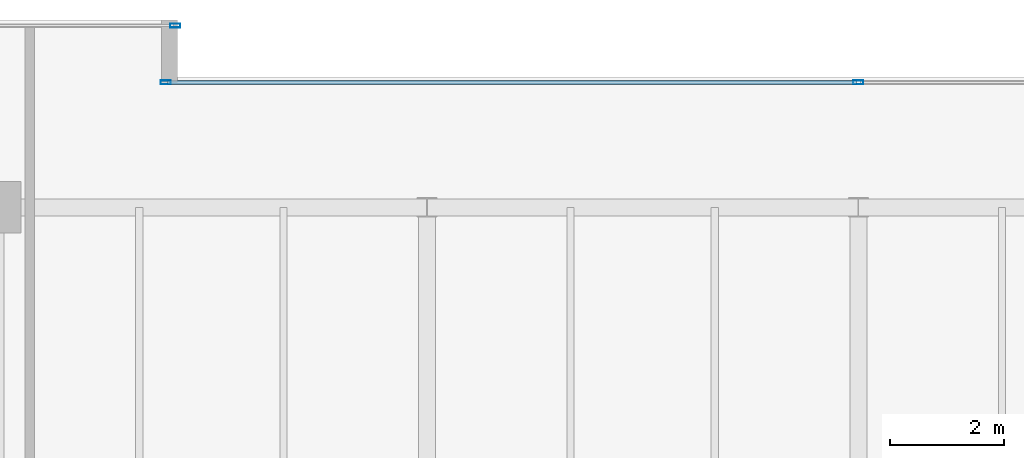
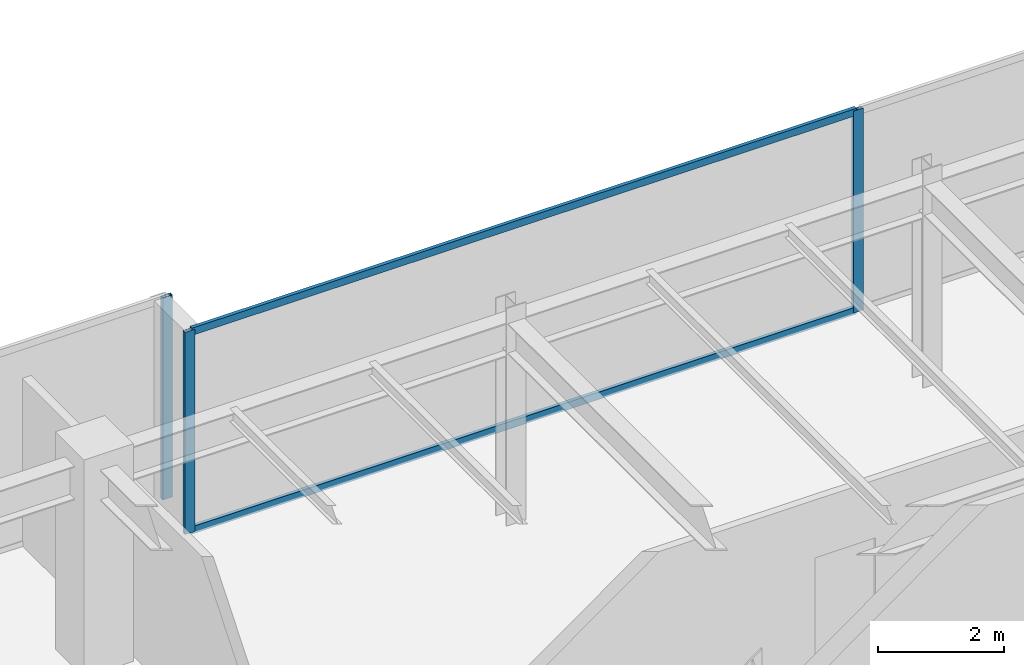
# One storey, part 22 of 31: 5 members, 2 elements without a shape of their own.
"""IFC4 building model written with IfcOpenShell, lengths in metres."""

from ifc_helpers import new_model, si_unit, direction, frame, origin, origin_2d, place, context, subcontext, project, spatial, hollow_rectangle, extrude, source, transform, mapped, material, layer, layer_set, material_profile, profile_set, type_object, type_shapes, element, aggregate, save


model = new_model("IFC4")

# Units and contexts
model_context = context("Model", 3, precision=1e-05, world=origin(), true_north=direction((0.0, 1.0)))
body_context = subcontext(model_context, "Body", "Model", "MODEL_VIEW")
ifc_project = project(units=[si_unit("LENGTHUNIT", "METRE"), si_unit("AREAUNIT", "SQUARE_METRE"), si_unit("VOLUMEUNIT", "CUBIC_METRE"), si_unit("PLANEANGLEUNIT", "RADIAN"), si_unit("MASSUNIT", "GRAM", prefix="KILO")], contexts=[model_context])

# Site, building, storey
site_placement = place(None, origin())
site = spatial("IfcSite", under=ifc_project, at=site_placement, CompositionType="ELEMENT")
building_placement = place(site_placement, origin())
building = spatial("IfcBuilding", under=site, at=building_placement, Name="Haelvirn Gate Laboratories", CompositionType="ELEMENT")
storey_placement = place(building_placement, frame((0.0, 0.0, 318.60009765625)))
storey = spatial("IfcBuildingStorey", under=building, at=storey_placement, Name="L76", CompositionType="ELEMENT", Elevation=318.60009765625)

# Curtain wall, members
ifc_material_1 = material(Name="Anodised bronze unitised aluminium & triple low-E glass", Category="aluminium")
ifc_layer = layer(ifc_material_1, 0.176025390625, Name="CW-SYS-4")
ifc_layer_set = layer_set([ifc_layer], Name="Anodised bronze unitised aluminium & triple low-E glass")
curtain_wall_type = type_object("IfcCurtainWallType", Name="CW-SYS-4", PredefinedType="NOTDEFINED", material=ifc_layer_set)
curtain_wall_1_placement = place(storey_placement, origin())
curtain_wall_1 = element("IfcCurtainWall", 1, at=curtain_wall_1_placement, inside=storey, type_object=curtain_wall_type, Name="L76 Unitised Curtain Wall CW-L76-P0-E12-1", PredefinedType="NOTDEFINED")
ifc_material_2 = material(Name="Extruded aluminium 6063-T6 (anodised bronze)", Category="aluminium")
ifc_material_profile_1 = material_profile(ifc_material_2, hollow_rectangle(XDim=0.06494140625, YDim=0.139892578125, WallThickness=0.00390625, at=origin_2d()), Name="CWT-140x65x4")
ifc_profile_set_1 = profile_set([ifc_material_profile_1], Name="Extruded aluminium 6063-T6 (anodised bronze)")
member_type_1 = type_object("IfcMemberType", Name="CWT-T140", PredefinedType="USERDEFINED", material=ifc_profile_set_1)
shared_shape_1 = source(origin(), body_context, "Body", "SweptSolid", [
    extrude(hollow_rectangle(XDim=0.06494140625, YDim=0.139892578125, WallThickness=0.00390625, at=origin_2d()), origin(), (0.0, 0.0, 1.0), 12.135009765625),
])
type_shapes(member_type_1, [shared_shape_1])
member_1_placement = place(storey_placement, frame((25.22998046875, 43.800048828125, 0.032470703125), z_axis=(1.0, 0.0, 0.0), x_axis=(0.0, 1.0, 0.0)))
member_1 = element("IfcMember", 2, at=member_1_placement, type_object=member_type_1, Name="CW4 transom 1.1", ObjectType="TRANSOM", PredefinedType="USERDEFINED", context=body_context, shape_type="MappedRepresentation", body=[
    mapped(shared_shape_1, transform((0.0, 0.0, 0.0), scale=1.0)),
])
member_2_placement = place(storey_placement, frame((25.22998046875, 43.800048828125, 3.867431640625), z_axis=(1.0, 0.0, 0.0), x_axis=(0.0, 1.0, 0.0)))
member_2 = element("IfcMember", 3, at=member_2_placement, type_object=member_type_1, Name="CW4 transom 1.2", ObjectType="TRANSOM", PredefinedType="USERDEFINED", context=body_context, shape_type="MappedRepresentation", body=[
    mapped(shared_shape_1, transform((0.0, 0.0, 0.0), scale=1.0)),
])
ifc_material_profile_2 = material_profile(ifc_material_2, hollow_rectangle(XDim=0.070068359375, YDim=0.179931640625, WallThickness=0.0048828125, at=origin_2d()), Name="CWM-180x70x5")
ifc_profile_set_2 = profile_set([ifc_material_profile_2], Name="Extruded aluminium 6063-T6 (anodised bronze)")
member_type_2 = type_object("IfcMemberType", Name="CWM-T180", PredefinedType="MULLION", material=ifc_profile_set_2)
shared_shape_2 = source(origin(), body_context, "Body", "SweptSolid", [
    extrude(hollow_rectangle(XDim=0.070068359375, YDim=0.179931640625, WallThickness=0.0048828125, at=origin_2d()), origin(), (0.0, 0.0, 1.0), 3.89990234375),
])
type_shapes(member_type_2, [shared_shape_2])
member_3_placement = place(storey_placement, frame((25.195068359375, 43.800048828125, 0.0), z_axis=(0.0, 0.0, 1.0), x_axis=(0.0, 1.0, 0.0)))
member_3 = element("IfcMember", 4, at=member_3_placement, type_object=member_type_2, Name="CW4 mullion 1", PredefinedType="MULLION", context=body_context, shape_type="MappedRepresentation", body=[
    mapped(shared_shape_2, transform((0.0, 0.0, 0.0), scale=1.0)),
])
member_4_placement = place(storey_placement, frame((37.39990234375, 43.800048828125, 0.0), z_axis=(0.0, 0.0, 1.0), x_axis=(0.0, 1.0, 0.0)))
member_4 = element("IfcMember", 5, at=member_4_placement, type_object=member_type_2, Name="CW4 mullion 2", PredefinedType="MULLION", context=body_context, shape_type="MappedRepresentation", body=[
    mapped(shared_shape_2, transform((0.0, 0.0, 0.0), scale=1.0)),
])
aggregate(curtain_wall_1, [member_3, member_4, member_1, member_2])

# Curtain wall, member
curtain_wall_2_placement = place(storey_placement, origin())
curtain_wall_2 = element("IfcCurtainWall", 6, at=curtain_wall_2_placement, inside=storey, type_object=curtain_wall_type, Name="L76 Unitised Curtain Wall CW-L76-P0-E14-1", PredefinedType="NOTDEFINED")
member_5_placement = place(storey_placement, frame((25.364990234375, 44.800048828125, 0.0), z_axis=(0.0, 0.0, 1.0), x_axis=(0.0, 1.0, 0.0)))
member_5 = element("IfcMember", 7, at=member_5_placement, type_object=member_type_2, Name="CW4 mullion 3", PredefinedType="MULLION", context=body_context, shape_type="MappedRepresentation", body=[
    mapped(shared_shape_2, transform((0.0, 0.0, 0.0), scale=1.0)),
])
aggregate(curtain_wall_2, [member_5])

save(model, "model.ifc")
